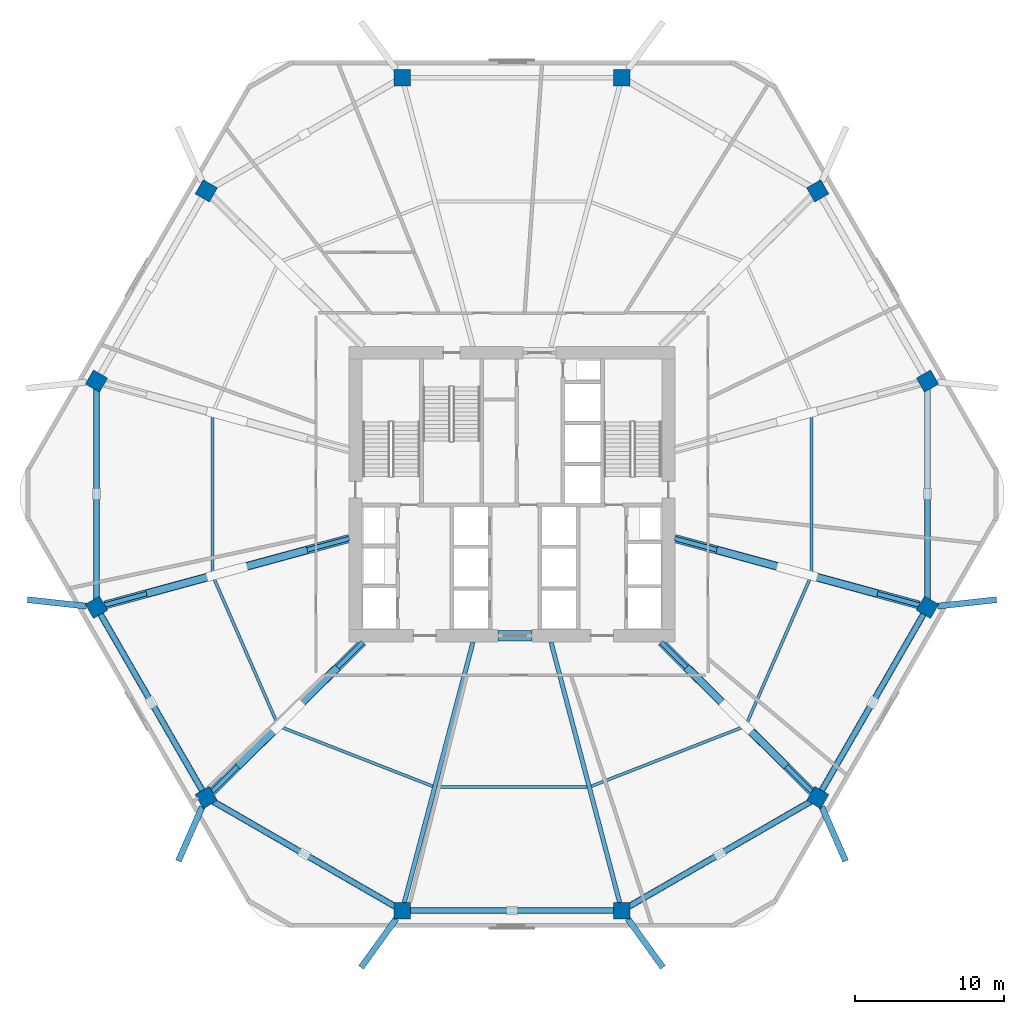
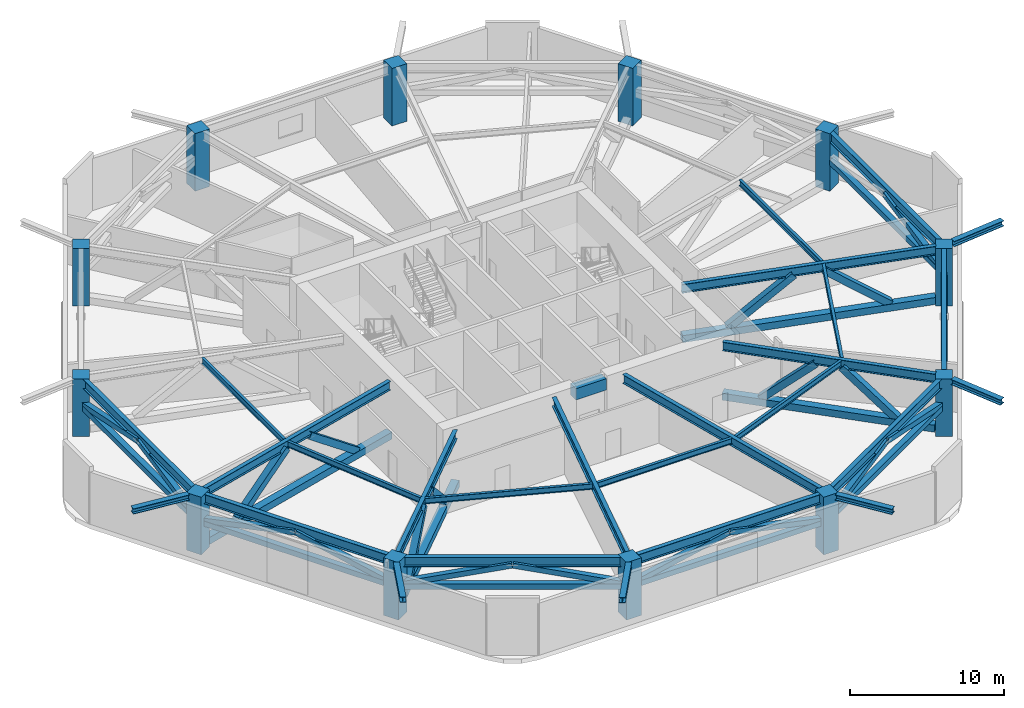
# One storey, part 1 of 10: 32 members, 27 beams, 12 columns.
"""IFC4 building model written with IfcOpenShell, lengths in metres."""

import ifcopenshell
import ifcopenshell.guid

model = None  # the IFC model being written
_history = None  # IfcOwnerHistory: only IFC2X3 demands one
_inside = {}  # id of a spatial element -> (the spatial element, [elements in it])
_under = {}  # id of a project, library or spatial element -> (it, [spatial elements below it])
_declared = {}  # id of a project -> (the project, [libraries it declares])
_typed = {}  # id of a type object -> (the type object, [elements of that type])
_made_of = {}  # id of a material, layer set ... -> (it, [elements and type objects made of it])


def new_model(schema):
    """Start an empty IFC model of exactly this schema.

    Asked for "IFC4X3", IfcOpenShell would pick the latest addendum, in which some entities
    have other attributes; the version numbers below select the first issue.
    IFC2X3 requires an IfcOwnerHistory on every rooted entity: one is made here for all.
    """
    global model, _history
    if schema == "IFC4X3":
        model = ifcopenshell.file(schema_version=(4, 3, 0, 0))
    else:
        model = ifcopenshell.file(schema=schema)
    _inside.clear()
    _under.clear()
    _declared.clear()
    _typed.clear()
    _made_of.clear()
    _history = None
    if model.schema == "IFC2X3":
        org = make("IfcOrganization", Name="unknown")
        user = make(
            "IfcPersonAndOrganization",
            ThePerson=make("IfcPerson", FamilyName="unknown"),
            TheOrganization=org,
        )
        app = make(
            "IfcApplication",
            ApplicationDeveloper=org,
            Version="unknown",
            ApplicationFullName="unknown",
            ApplicationIdentifier="unknown",
        )
        _history = make(
            "IfcOwnerHistory",
            OwningUser=user,
            OwningApplication=app,
            ChangeAction="ADDED",
            CreationDate=0,
        )
    return model


def make(cls, **values):
    """One entity of the class cls with the attributes given. An attribute that is None is left unset."""
    return model.create_entity(
        cls, **{name: value for name, value in values.items() if value is not None}
    )


def rooted(cls, **values):
    """An entity with a GlobalId (a new one), such as an element, a storey or a relation."""
    return make(cls, GlobalId=ifcopenshell.guid.new(), OwnerHistory=_history, **values)


def si_unit(unit_type, name, prefix=None):
    """IfcSIUnit, for example si_unit("LENGTHUNIT", "METRE", prefix="MILLI")."""
    return make("IfcSIUnit", UnitType=unit_type, Prefix=prefix, Name=name)


def assignment(units):
    """IfcUnitAssignment: the units of a project."""
    return None if units is None else make("IfcUnitAssignment", Units=units)


def point(xyz):
    """IfcCartesianPoint."""
    return None if xyz is None else make("IfcCartesianPoint", Coordinates=xyz)


def direction(xyz):
    """IfcDirection."""
    return None if xyz is None else make("IfcDirection", DirectionRatios=xyz)


def frame(location, z_axis=None, x_axis=None):
    """IfcAxis2Placement3D, a coordinate frame: its origin and axes. An axis left out is left unset."""
    return make(
        "IfcAxis2Placement3D",
        Location=point(location),
        Axis=direction(z_axis),
        RefDirection=direction(x_axis),
    )


def frame_2d(location, x_axis=None):
    """IfcAxis2Placement2D, a coordinate frame in the plane: its origin and x axis."""
    return make(
        "IfcAxis2Placement2D", Location=point(location), RefDirection=direction(x_axis)
    )


def origin():
    """The frame at (0, 0, 0) with its axes left unset."""
    return frame((0.0, 0.0, 0.0))


def origin_2d():
    """The frame at (0, 0) in the plane with its x axis left unset."""
    return frame_2d((0.0, 0.0))


def place(relative_to, where):
    """IfcLocalPlacement: puts the frame where relative to a parent placement (None: the world)."""
    return make(
        "IfcLocalPlacement", PlacementRelTo=relative_to, RelativePlacement=where
    )


def context(
    kind, dimensions, precision=None, world=None, true_north=None, identifier=None
):
    """IfcGeometricRepresentationContext, for example the 3D "Model" context."""
    return make(
        "IfcGeometricRepresentationContext",
        ContextIdentifier=identifier,
        ContextType=kind,
        CoordinateSpaceDimension=dimensions,
        Precision=precision,
        WorldCoordinateSystem=world,
        TrueNorth=true_north,
    )


def subcontext(parent, identifier, kind, view, scale=None):
    """IfcGeometricRepresentationSubContext, for example "Body" below "Model"."""
    return make(
        "IfcGeometricRepresentationSubContext",
        ContextIdentifier=identifier,
        ContextType=kind,
        ParentContext=parent,
        TargetScale=scale,
        TargetView=view,
    )


def project(units=None, contexts=None):
    """IfcProject with its units and contexts."""
    return rooted(
        "IfcProject",
        Name="project",
        RepresentationContexts=contexts,
        UnitsInContext=assignment(units),
    )


def spatial(cls, under=None, at=None, **own):
    """A site, building, storey or space (cls), placed at a placement, below another one or the project."""
    s = rooted(cls, ObjectPlacement=at, **own)
    if under is not None:
        _under.setdefault(under.id(), (under, []))[1].append(s)
    return s


def profile(cls, at=None, kind="AREA", **sizes):
    """A parametric profile (cls). Its sizes go by their IFC names, for example OverallWidth=200.0."""
    return make(cls, ProfileType=kind, Position=at, **sizes)


def rectangle(**sizes):
    """IfcRectangleProfileDef."""
    return profile("IfcRectangleProfileDef", **sizes)


def hollow_rectangle(**sizes):
    """IfcRectangleHollowProfileDef."""
    return profile("IfcRectangleHollowProfileDef", **sizes)


def i_section(**sizes):
    """IfcIShapeProfileDef."""
    return profile("IfcIShapeProfileDef", **sizes)


def extrude(swept, where, along, depth):
    """IfcExtrudedAreaSolid: the profile swept, set in the frame where, extruded along a direction by depth."""
    return make(
        "IfcExtrudedAreaSolid",
        SweptArea=swept,
        Position=where,
        ExtrudedDirection=direction(along),
        Depth=depth,
    )


def shape(context_of_items, identifier, shape_type, items):
    """IfcShapeRepresentation: the items that make up one representation, for example the "Body"."""
    return make(
        "IfcShapeRepresentation",
        ContextOfItems=context_of_items,
        RepresentationIdentifier=identifier,
        RepresentationType=shape_type,
        Items=items,
    )


def material(Name=None, Category=None):
    """IfcMaterial."""
    return make("IfcMaterial", Name=Name, Category=Category)


def material_profile(
    of_material, cross_section, Name=None, Category=None, Priority=None
):
    """IfcMaterialProfile: a cross section and its material."""
    return make(
        "IfcMaterialProfile",
        Name=Name,
        Material=of_material,
        Profile=cross_section,
        Priority=Priority,
        Category=Category,
    )


def profile_set(profiles, Name=None, composite=None):
    """IfcMaterialProfileSet."""
    return make(
        "IfcMaterialProfileSet",
        Name=Name,
        MaterialProfiles=profiles,
        CompositeProfile=composite,
    )


def made_of(thing, what):
    """Note that an element or type object is made of a material, layer set ...; save() writes the relation."""
    if what is not None:
        _made_of.setdefault(what.id(), (what, []))[1].append(thing)
    return thing


def type_object(cls, material=None, **own):
    """A type object (cls), such as IfcWallType, which elements share."""
    return made_of(rooted(cls, **own), material)


def element(
    cls,
    number,
    at=None,
    inside=None,
    cuts=None,
    type_object=None,
    material=None,
    context=None,
    identifier="Body",
    shape_type=None,
    held_by="IfcProductDefinitionShape",
    body=None,
    shapes=None,
    **own,
):
    """One element of the class cls, such as IfcWall. Its Tag is "e" and its number.

    at: its placement. inside: the storey or other place that contains it. cuts: it is an
    opening in that element (IfcRelVoidsElement). A single representation is given by context,
    identifier, shape_type and body (its items); several are given by shapes. held_by: the class
    of the entity that holds the representations. save() writes the other relations.
    """
    e = rooted(cls, Tag="e%d" % number, ObjectPlacement=at, **own)
    if body is not None:
        shapes = [shape(context, identifier, shape_type, body)]
    if shapes is not None:
        e.Representation = make(held_by, Representations=shapes)
    if inside is not None:
        _inside.setdefault(inside.id(), (inside, []))[1].append(e)
    if cuts is not None:
        rooted(
            "IfcRelVoidsElement", RelatingBuildingElement=cuts, RelatedOpeningElement=e
        )
    if type_object is not None:
        _typed.setdefault(type_object.id(), (type_object, []))[1].append(e)
    return made_of(e, material)


def aggregate(whole, parts):
    """IfcRelAggregates: a whole, such as a stair, and the parts it consists of."""
    return rooted("IfcRelAggregates", RelatingObject=whole, RelatedObjects=parts)


def save(model, path):
    """Write the relations noted so far, then the file.

    IfcRelAggregates (storeys below a building ...), IfcRelContainedInSpatialStructure (elements
    in a storey), IfcRelDefinesByType, IfcRelAssociatesMaterial and IfcRelDeclares: one each for
    every whole, place, type object, material and project.
    """
    for whole, parts in _under.values():
        aggregate(whole, parts)
    for where, things in _inside.values():
        rooted(
            "IfcRelContainedInSpatialStructure",
            RelatedElements=things,
            RelatingStructure=where,
        )
    for kind, things in _typed.values():
        rooted("IfcRelDefinesByType", RelatedObjects=things, RelatingType=kind)
    for what, things in _made_of.values():
        rooted("IfcRelAssociatesMaterial", RelatedObjects=things, RelatingMaterial=what)
    for by, libraries in _declared.values():
        rooted("IfcRelDeclares", RelatingContext=by, RelatedDefinitions=libraries)
    model.write(path)


model = new_model("IFC4")

# Units and contexts
model_context = context("Model", 3, precision=1e-05, world=origin(), true_north=direction((0.0, 1.0)))
body_context = subcontext(model_context, "Body", "Model", "MODEL_VIEW")
ifc_project = project(units=[si_unit("LENGTHUNIT", "METRE"), si_unit("AREAUNIT", "SQUARE_METRE"), si_unit("VOLUMEUNIT", "CUBIC_METRE"), si_unit("PLANEANGLEUNIT", "RADIAN"), si_unit("MASSUNIT", "GRAM", prefix="KILO")], contexts=[model_context])

# Site, building, storey
site_placement = place(None, origin())
site = spatial("IfcSite", under=ifc_project, at=site_placement, CompositionType="ELEMENT")
building_placement = place(site_placement, origin())
building = spatial("IfcBuilding", under=site, at=building_placement, Name="Zuhravey Tower", CompositionType="ELEMENT")
storey_placement = place(building_placement, frame((0.0, 0.0, 87.60009765625)))
storey = spatial("IfcBuildingStorey", under=building, at=storey_placement, Name="L21", CompositionType="ELEMENT", Elevation=87.60009765625)

# Columns
ifc_material_1 = material(Name="Concrete C60/75", Category="concrete")
ifc_material_profile_1 = material_profile(ifc_material_1, rectangle(XDim=1.10009765625, YDim=1.10009765625, at=origin_2d()), Name="RC-1100x1100")
ifc_profile_set_1 = profile_set([ifc_material_profile_1], Name="Concrete C60/75")
column_type = type_object("IfcColumnType", Name="Zone 1 Upper Column 1100x1100", PredefinedType="COLUMN", material=ifc_profile_set_1)
for number, where, z_axis, x_axis, name in (
    (1, (63.88916015625, 39.591552734375, 0.0), (0.0, 0.0, 1.0), (-0.5, 0.866025403784, 0.0), "L21 Perimeter Column PC01"),
    (2, (56.51904296875, 52.35693359375, 0.0), (0.0, 0.0, 1.0), (-0.5, 0.866025403784, 0.0), "L21 Perimeter Column PC02"),
    (3, (43.3701171875, 59.948486328125, 0.0), (0.0, 0.0, 1.0), (-1.0, 0.0, 0.0), "L21 Perimeter Column PC03"),
    (4, (28.6298828125, 59.948486328125, 0.0), (0.0, 0.0, 1.0), (-1.0, 0.0, 0.0), "L21 Perimeter Column PC04"),
    (5, (15.48095703125, 52.35693359375, 0.0), (0.0, 0.0, 1.0), (-0.5, -0.866025403784, 0.0), "L21 Perimeter Column PC05"),
    (6, (8.11083984375, 39.591552734375, 0.0), (0.0, 0.0, 1.0), (-0.5, -0.866025403784, 0.0), "L21 Perimeter Column PC06"),
    (7, (8.11083984375, 24.408447265625, 0.0), (0.0, 0.0, 1.0), (0.5, -0.866025403784, 0.0), "L21 Perimeter Column PC07"),
    (8, (15.48095703125, 11.64306640625, 0.0), (0.0, 0.0, 1.0), (0.5, -0.866025403784, 0.0), "L21 Perimeter Column PC08"),
    (9, (28.6298828125, 4.051513671875, 0.0), (0.0, 0.0, 1.0), (1.0, 0.0, 0.0), "L21 Perimeter Column PC09"),
    (10, (43.3701171875, 4.051513671875, 0.0), (0.0, 0.0, 1.0), (1.0, 0.0, 0.0), "L21 Perimeter Column PC10"),
    (11, (56.51904296875, 11.64306640625, 0.0), (0.0, 0.0, 1.0), (0.5, 0.866025403784, 0.0), "L21 Perimeter Column PC11"),
    (12, (63.88916015625, 24.408447265625, 0.0), (0.0, 0.0, 1.0), (0.5, 0.866025403784, 0.0), "L21 Perimeter Column PC12"),
):
    element("IfcColumn", number, at=place(storey_placement, frame(where, z_axis=z_axis, x_axis=x_axis)), inside=storey, type_object=column_type, Name=name, PredefinedType="COLUMN", context=body_context, shape_type="SweptSolid", body=[
        extrude(rectangle(XDim=1.10009765625, YDim=1.10009765625, at=origin_2d()), origin(), (0.0, 0.0, 1.0), 4.5498046875),
    ])

# Members
ifc_material_2 = material(Name="Steel SM355", Category="steel")
ifc_material_profile_2 = material_profile(ifc_material_2, hollow_rectangle(XDim=0.419921875, YDim=0.419921875, WallThickness=0.028076171875, at=origin_2d()), Name="RHS-420x420x28")
ifc_profile_set_2 = profile_set([ifc_material_profile_2], Name="Steel SM355")
member_type_1 = type_object("IfcMemberType", Name="Belt Truss Chord RHS420x420", PredefinedType="CHORD", material=ifc_profile_set_2)
member_1_placement = place(storey_placement, frame((8.11083984375, 39.03662109375, 2.27001953125), z_axis=(0.0, -1.0, 0.0), x_axis=(1.0, 0.0, 0.0)))
element("IfcMember", 13, at=member_1_placement, inside=storey, type_object=member_type_1, Name="L21 Belt Truss Bottom Chord BTC1-05", PredefinedType="CHORD", context=body_context, shape_type="SweptSolid", body=[
    extrude(hollow_rectangle(XDim=0.419921875, YDim=0.419921875, WallThickness=0.028076171875, at=origin_2d()), origin(), (0.0, 0.0, 1.0), 14.0732421875),
])
member_2_placement = place(storey_placement, frame((8.388427734375, 23.927734375, 2.27001953125), z_axis=(0.500009294004, -0.866020037822, 0.0), x_axis=(0.866020037822, 0.500009294004, 0.0)))
element("IfcMember", 14, at=member_2_placement, inside=storey, type_object=member_type_1, Name="L21 Belt Truss Bottom Chord BTC1-06", PredefinedType="CHORD", context=body_context, shape_type="SweptSolid", body=[
    extrude(hollow_rectangle(XDim=0.419921875, YDim=0.419921875, WallThickness=0.028076171875, at=origin_2d()), origin(), (0.0, 0.0, 1.0), 13.630126953125),
])
member_3_placement = place(storey_placement, frame((15.961669921875, 11.365478515625, 2.27001953125), z_axis=(0.866032185384, -0.49998825374, 0.0), x_axis=(0.49998825374, 0.866032185384, 0.0)))
element("IfcMember", 15, at=member_3_placement, inside=storey, type_object=member_type_1, Name="L21 Belt Truss Bottom Chord BTC1-07", PredefinedType="CHORD", context=body_context, shape_type="SweptSolid", body=[
    extrude(hollow_rectangle(XDim=0.419921875, YDim=0.419921875, WallThickness=0.028076171875, at=origin_2d()), origin(), (0.0, 0.0, 1.0), 14.072998046875),
])
member_4_placement = place(storey_placement, frame((29.18505859375, 4.051513671875, 2.27001953125), z_axis=(1.0, 0.0, 0.0), x_axis=(0.0, 1.0, 0.0)))
element("IfcMember", 16, at=member_4_placement, inside=storey, type_object=member_type_1, Name="L21 Belt Truss Bottom Chord BTC1-08", PredefinedType="CHORD", context=body_context, shape_type="SweptSolid", body=[
    extrude(hollow_rectangle(XDim=0.419921875, YDim=0.419921875, WallThickness=0.028076171875, at=origin_2d()), origin(), (0.0, 0.0, 1.0), 13.6298828125),
])
member_5_placement = place(storey_placement, frame((43.8505859375, 4.3291015625, 2.27001953125), z_axis=(0.866032185384, 0.49998825374, 0.0), x_axis=(-0.49998825374, 0.866032185384, 0.0)))
element("IfcMember", 17, at=member_5_placement, inside=storey, type_object=member_type_1, Name="L21 Belt Truss Bottom Chord BTC1-09", PredefinedType="CHORD", context=body_context, shape_type="SweptSolid", body=[
    extrude(hollow_rectangle(XDim=0.419921875, YDim=0.419921875, WallThickness=0.028076171875, at=origin_2d()), origin(), (0.0, 0.0, 1.0), 14.072998046875),
])
member_6_placement = place(storey_placement, frame((56.79638671875, 12.123779296875, 2.27001953125), z_axis=(0.500009294004, 0.866020037822, 0.0), x_axis=(-0.866020037822, 0.500009294004, 0.0)))
element("IfcMember", 18, at=member_6_placement, inside=storey, type_object=member_type_1, Name="L21 Belt Truss Bottom Chord BTC1-10", PredefinedType="CHORD", context=body_context, shape_type="SweptSolid", body=[
    extrude(hollow_rectangle(XDim=0.419921875, YDim=0.419921875, WallThickness=0.028076171875, at=origin_2d()), origin(), (0.0, 0.0, 1.0), 13.630126953125),
])
member_7_placement = place(storey_placement, frame((63.88916015625, 24.96337890625, 2.27001953125), z_axis=(0.0, 1.0, 0.0), x_axis=(-1.0, 0.0, 0.0)))
element("IfcMember", 19, at=member_7_placement, inside=storey, type_object=member_type_1, Name="L21 Belt Truss Bottom Chord BTC1-11", PredefinedType="CHORD", context=body_context, shape_type="SweptSolid", body=[
    extrude(hollow_rectangle(XDim=0.419921875, YDim=0.419921875, WallThickness=0.028076171875, at=origin_2d()), origin(), (0.0, 0.0, 1.0), 14.0732421875),
])
ifc_material_profile_3 = material_profile(ifc_material_2, hollow_rectangle(XDim=0.39990234375, YDim=0.39990234375, WallThickness=0.02490234375, at=origin_2d()), Name="RHS-400x400x25")
ifc_profile_set_3 = profile_set([ifc_material_profile_3], Name="Steel SM355")
member_type_2 = type_object("IfcMemberType", Name="Belt Truss Diagonal RHS400x400", PredefinedType="BRACE", material=ifc_profile_set_3)
for number, where, z_axis, x_axis, name in (
    (20, (8.11083984375, 39.02197265625, 2.492919921875), (0.0, -0.979699372428, 0.200472291511), (1.0, 0.0, 0.0), "L21 Belt Truss Diagonal BTD1-05.1"),
    (21, (8.11083984375, 24.97802734375, 2.492919921875), (0.0, 0.979699372428, 0.200472291511), (-1.0, 0.0, 0.0), "L21 Belt Truss Diagonal BTD1-05.2"),
):
    element("IfcMember", number, at=place(storey_placement, frame(where, z_axis=z_axis, x_axis=x_axis)), inside=storey, type_object=member_type_2, Name=name, PredefinedType="BRACE", context=body_context, shape_type="SweptSolid", body=[
        extrude(hollow_rectangle(XDim=0.39990234375, YDim=0.39990234375, WallThickness=0.02490234375, at=origin_2d()), origin(), (0.0, 0.0, 1.0), 7.142578125),
    ])
for number, where, z_axis, x_axis, name in (
    (22, (8.395751953125, 23.9150390625, 2.492919921875), (0.489191555896, -0.847316295851, 0.206752790613), (0.86602838478, 0.499994836728, 0.0), "L21 Belt Truss Diagonal BTD1-06.1"),
    (23, (15.196044921875, 12.136474609375, 2.492919921875), (-0.489164739326, 0.847330907642, 0.206756356021), (-0.866043986184, -0.499967812959, 0.0), "L21 Belt Truss Diagonal BTD1-06.2"),
):
    element("IfcMember", number, at=place(storey_placement, frame(where, z_axis=z_axis, x_axis=x_axis)), inside=storey, type_object=member_type_2, Name=name, PredefinedType="BRACE", context=body_context, shape_type="SweptSolid", body=[
        extrude(hollow_rectangle(XDim=0.39990234375, YDim=0.39990234375, WallThickness=0.02490234375, at=origin_2d()), origin(), (0.0, 0.0, 1.0), 6.925537109375),
    ])
for number, where, z_axis, x_axis, name in (
    (24, (15.974365234375, 11.358154296875, 2.492919921875), (0.848448982471, -0.489838198252, 0.200481579396), (0.499989243959, 0.866031613699, 0.0), "L21 Belt Truss Diagonal BTD1-07.1"),
    (25, (28.13671875, 4.33642578125, 2.492919921875), (-0.848458557804, 0.489823992157, 0.200475765108), (-0.499974136273, -0.866040335699, 0.0), "L21 Belt Truss Diagonal BTD1-07.2"),
):
    element("IfcMember", number, at=place(storey_placement, frame(where, z_axis=z_axis, x_axis=x_axis)), inside=storey, type_object=member_type_2, Name=name, PredefinedType="BRACE", context=body_context, shape_type="SweptSolid", body=[
        extrude(hollow_rectangle(XDim=0.39990234375, YDim=0.39990234375, WallThickness=0.02490234375, at=origin_2d()), origin(), (0.0, 0.0, 1.0), 7.142333984375),
    ])
for number, where, z_axis, x_axis, name in (
    (26, (29.19970703125, 4.051513671875, 2.492919921875), (0.978392783318, 0.0, 0.206754834408), (0.0, 1.0, 0.0), "L21 Belt Truss Diagonal BTD1-08.1"),
    (27, (42.80029296875, 4.051513671875, 2.492919921875), (-0.978392783318, 0.0, 0.206754834408), (0.0, -1.0, 0.0), "L21 Belt Truss Diagonal BTD1-08.2"),
):
    element("IfcMember", number, at=place(storey_placement, frame(where, z_axis=z_axis, x_axis=x_axis)), inside=storey, type_object=member_type_2, Name=name, PredefinedType="BRACE", context=body_context, shape_type="SweptSolid", body=[
        extrude(hollow_rectangle(XDim=0.39990234375, YDim=0.39990234375, WallThickness=0.02490234375, at=origin_2d()), origin(), (0.0, 0.0, 1.0), 6.925537109375),
    ])
for number, where, z_axis, x_axis, name in (
    (28, (43.86328125, 4.33642578125, 2.492919921875), (0.848458557804, 0.489823992157, 0.200475765108), (-0.499974136273, 0.866040335699, 0.0), "L21 Belt Truss Diagonal BTD1-09.1"),
    (29, (56.025634765625, 11.358154296875, 2.492919921875), (-0.848448982471, -0.489838198252, 0.200481579396), (0.499989243959, -0.866031613699, 0.0), "L21 Belt Truss Diagonal BTD1-09.2"),
):
    element("IfcMember", number, at=place(storey_placement, frame(where, z_axis=z_axis, x_axis=x_axis)), inside=storey, type_object=member_type_2, Name=name, PredefinedType="BRACE", context=body_context, shape_type="SweptSolid", body=[
        extrude(hollow_rectangle(XDim=0.39990234375, YDim=0.39990234375, WallThickness=0.02490234375, at=origin_2d()), origin(), (0.0, 0.0, 1.0), 7.142333984375),
    ])
for number, where, z_axis, x_axis, name in (
    (30, (56.803955078125, 12.136474609375, 2.492919921875), (0.489191555896, 0.847316295851, 0.206752790613), (-0.86602838478, 0.499994836728, 0.0), "L21 Belt Truss Diagonal BTD1-10.1"),
    (31, (63.604248046875, 23.9150390625, 2.492919921875), (-0.489191555896, -0.847316295851, 0.206752790613), (0.86602838478, -0.499994836728, 0.0), "L21 Belt Truss Diagonal BTD1-10.2"),
):
    element("IfcMember", number, at=place(storey_placement, frame(where, z_axis=z_axis, x_axis=x_axis)), inside=storey, type_object=member_type_2, Name=name, PredefinedType="BRACE", context=body_context, shape_type="SweptSolid", body=[
        extrude(hollow_rectangle(XDim=0.39990234375, YDim=0.39990234375, WallThickness=0.02490234375, at=origin_2d()), origin(), (0.0, 0.0, 1.0), 6.925537109375),
    ])
member_8_placement = place(storey_placement, frame((63.88916015625, 24.97802734375, 2.492919921875), z_axis=(0.0, 0.979699372428, 0.200472291511), x_axis=(-1.0, 0.0, 0.0)))
element("IfcMember", 32, at=member_8_placement, inside=storey, type_object=member_type_2, Name="L21 Belt Truss Diagonal BTD1-11.1", PredefinedType="BRACE", context=body_context, shape_type="SweptSolid", body=[
    extrude(hollow_rectangle(XDim=0.39990234375, YDim=0.39990234375, WallThickness=0.02490234375, at=origin_2d()), origin(), (0.0, 0.0, 1.0), 7.142578125),
])

# Beams
ifc_material_profile_4 = material_profile(ifc_material_1, rectangle(XDim=0.699951171875, YDim=0.89990234375, at=origin_2d()), Name="RC-700x900")
ifc_profile_set_4 = profile_set([ifc_material_profile_4], Name="Concrete C60/75")
beam_type_1 = type_object("IfcBeamType", Name="Core Coupling Beam RC700x900", PredefinedType="LINTEL", material=ifc_profile_set_4)
beam_1_placement = place(storey_placement, frame((35.052001953125, 22.5, 4.099853515625), z_axis=(1.0, 0.0, 0.0), x_axis=(0.0, 1.0, 0.0)))
element("IfcBeam", 33, at=beam_1_placement, inside=storey, type_object=beam_type_1, Name="L21 CB1 BM-L21-CB-S", PredefinedType="LINTEL", context=body_context, shape_type="SweptSolid", body=[
    extrude(rectangle(XDim=0.699951171875, YDim=0.89990234375, at=origin_2d()), origin(), (0.0, 0.0, 1.0), 2.2958984375),
])
ifc_material_3 = material(Name="Steel SM460", Category="steel")
ifc_material_profile_5 = material_profile(ifc_material_3, i_section(OverallWidth=0.406982421875, OverallDepth=0.427978515625, WebThickness=0.02001953125, FlangeThickness=0.034912109375, at=origin_2d()), Name="H-428x407x20x35")
ifc_profile_set_5 = profile_set([ifc_material_profile_5], Name="Steel SM460")
beam_type_2 = type_object("IfcBeamType", Name="Exoskeleton Node Tie Beam H428x407", PredefinedType="BEAM", material=ifc_profile_set_5)
for number, where, z_axis, x_axis, name in (
    (34, (7.4287109375, 24.4833984375, 4.3359375), (-0.994005957907, 0.109325914797, 0.0), (-0.109325914797, -0.994005957907, 0.0), "L21 Exoskeleton Node Tie NT1-07"),
    (35, (15.204833984375, 11.014892578125, 4.3359375), (-0.402345456296, -0.915487921164, 0.0), (0.915487921164, -0.402345456296, 0.0), "L21 Exoskeleton Node Tie NT1-08"),
):
    element("IfcBeam", number, at=place(storey_placement, frame(where, z_axis=z_axis, x_axis=x_axis)), inside=storey, type_object=beam_type_2, Name=name, PredefinedType="BEAM", context=body_context, shape_type="SweptSolid", body=[
        extrude(i_section(OverallWidth=0.406982421875, OverallDepth=0.427978515625, WebThickness=0.02001953125, FlangeThickness=0.034912109375, at=origin_2d()), origin(), (0.0, 0.0, 1.0), 3.97509765625),
    ])
for number, where, z_axis, x_axis, name in (
    (36, (28.230224609375, 3.498291015625, 4.3359375), (-0.585548100251, -0.810637663998, 0.0), (0.810637663998, -0.585548100251, 0.0), "L21 Exoskeleton Node Tie NT1-09"),
    (37, (43.769775390625, 3.498291015625, 4.3359375), (0.585548100251, -0.810637663998, 0.0), (0.810637663998, 0.585548100251, 0.0), "L21 Exoskeleton Node Tie NT1-10"),
):
    element("IfcBeam", number, at=place(storey_placement, frame(where, z_axis=z_axis, x_axis=x_axis)), inside=storey, type_object=beam_type_2, Name=name, PredefinedType="BEAM", context=body_context, shape_type="SweptSolid", body=[
        extrude(i_section(OverallWidth=0.406982421875, OverallDepth=0.427978515625, WebThickness=0.02001953125, FlangeThickness=0.034912109375, at=origin_2d()), origin(), (0.0, 0.0, 1.0), 4.02734375),
    ])
for number, where, z_axis, x_axis, name in (
    (38, (56.795166015625, 11.014892578125, 4.3359375), (0.402345456296, -0.915487921164, 0.0), (0.915487921164, 0.402345456296, 0.0), "L21 Exoskeleton Node Tie NT1-11"),
    (39, (64.5712890625, 24.4833984375, 4.3359375), (0.994005957907, 0.109325914797, 0.0), (-0.109325914797, 0.994005957907, 0.0), "L21 Exoskeleton Node Tie NT1-12"),
):
    element("IfcBeam", number, at=place(storey_placement, frame(where, z_axis=z_axis, x_axis=x_axis)), inside=storey, type_object=beam_type_2, Name=name, PredefinedType="BEAM", context=body_context, shape_type="SweptSolid", body=[
        extrude(i_section(OverallWidth=0.406982421875, OverallDepth=0.427978515625, WebThickness=0.02001953125, FlangeThickness=0.034912109375, at=origin_2d()), origin(), (0.0, 0.0, 1.0), 3.97509765625),
    ])

# Members
ifc_material_profile_6 = material_profile(ifc_material_3, hollow_rectangle(XDim=0.550048828125, YDim=0.550048828125, WallThickness=0.034912109375, at=origin_2d()), Name="RHS-550x550x35")
ifc_profile_set_6 = profile_set([ifc_material_profile_6], Name="Steel SM460")
member_type_3 = type_object("IfcMemberType", Name="Outrigger Truss Chord RHS550x550", PredefinedType="CHORD", material=ifc_profile_set_6)
member_9_placement = place(storey_placement, frame((25.067138671875, 29.02392578125, 0.31982421875), z_axis=(-0.964891967794, -0.262647083531, 0.0), x_axis=(0.262647083531, -0.964891967794, 0.0)))
element("IfcMember", 40, at=member_9_placement, inside=storey, type_object=member_type_3, Name="L21 Outrigger Bottom Chord OTC1-05", PredefinedType="CHORD", context=body_context, shape_type="SweptSolid", body=[
    extrude(hollow_rectangle(XDim=0.550048828125, YDim=0.550048828125, WallThickness=0.034912109375, at=origin_2d()), origin(), (0.0, 0.0, 1.0), 16.99951171875),
])
for number, where, z_axis, x_axis, name in (
    (41, (25.989501953125, 22.068359375, 0.31982421875), (-0.709906594585, -0.704295837674, 0.0), (0.704295837674, -0.709906594585, 0.0), "L21 Outrigger Bottom Chord OTC1-06"),
    (42, (46.010498046875, 22.068359375, 0.31982421875), (0.709906594585, -0.704295837674, 0.0), (0.704295837674, 0.709906594585, 0.0), "L21 Outrigger Bottom Chord OTC1-07"),
):
    element("IfcMember", number, at=place(storey_placement, frame(where, z_axis=z_axis, x_axis=x_axis)), inside=storey, type_object=member_type_3, Name=name, PredefinedType="CHORD", context=body_context, shape_type="SweptSolid", body=[
        extrude(hollow_rectangle(XDim=0.550048828125, YDim=0.550048828125, WallThickness=0.034912109375, at=origin_2d()), origin(), (0.0, 0.0, 1.0), 14.228759765625),
    ])
member_10_placement = place(storey_placement, frame((46.932861328125, 29.02392578125, 0.31982421875), z_axis=(0.964891967794, -0.262647083531, 0.0), x_axis=(0.262647083531, 0.964891967794, 0.0)))
element("IfcMember", 43, at=member_10_placement, inside=storey, type_object=member_type_3, Name="L21 Outrigger Bottom Chord OTC1-08", PredefinedType="CHORD", context=body_context, shape_type="SweptSolid", body=[
    extrude(hollow_rectangle(XDim=0.550048828125, YDim=0.550048828125, WallThickness=0.034912109375, at=origin_2d()), origin(), (0.0, 0.0, 1.0), 16.99951171875),
])
ifc_material_profile_7 = material_profile(ifc_material_3, hollow_rectangle(XDim=0.5, YDim=0.5, WallThickness=0.031982421875, at=origin_2d()), Name="RHS-500x500x32")
ifc_profile_set_7 = profile_set([ifc_material_profile_7], Name="Steel SM460")
member_type_4 = type_object("IfcMemberType", Name="Outrigger Truss Diagonal RHS500x500", PredefinedType="BRACE", material=ifc_profile_set_7)
for number, where, z_axis, x_axis, name in (
    (44, (22.11474609375, 28.220458984375, 0.559814453125), (-0.763098125474, -0.207724501181, 0.611990018306), (0.262654654638, -0.964889906879, 0.0), "L21 Outrigger Diagonal OTD1-05.1"),
    (45, (11.616943359375, 25.36279296875, 0.559814453125), (0.763098125474, 0.207724501181, 0.611990018306), (-0.262654654638, 0.964889906879, 0.0), "L21 Outrigger Diagonal OTD1-05.2"),
):
    element("IfcMember", number, at=place(storey_placement, frame(where, z_axis=z_axis, x_axis=x_axis)), inside=storey, type_object=member_type_4, Name=name, PredefinedType="BRACE", context=body_context, shape_type="SweptSolid", body=[
        extrude(hollow_rectangle(XDim=0.5, YDim=0.5, WallThickness=0.031982421875, at=origin_2d()), origin(), (0.0, 0.0, 1.0), 5.588623046875),
    ])
for number, where, z_axis, x_axis, name in (
    (46, (24.171142578125, 20.2646484375, 0.559814453125), (-0.52126602479, -0.517147068566, 0.678852444109), (0.704296439771, -0.709905997246, 0.0), "L21 Outrigger Diagonal OTD1-06.1"),
    (47, (17.70654296875, 13.85107421875, 0.559814453125), (0.52126602479, 0.517147068566, 0.678852444109), (-0.704296439771, 0.709905997246, 0.0), "L21 Outrigger Diagonal OTD1-06.2"),
    (48, (47.828857421875, 20.2646484375, 0.559814453125), (0.52126602479, -0.517147068566, 0.678852444109), (0.704296439771, 0.709905997246, 0.0), "L21 Outrigger Diagonal OTD1-07.1"),
    (49, (54.29345703125, 13.85107421875, 0.559814453125), (-0.52126602479, 0.517147068566, 0.678852444109), (-0.704296439771, -0.709905997246, 0.0), "L21 Outrigger Diagonal OTD1-07.2"),
):
    element("IfcMember", number, at=place(storey_placement, frame(where, z_axis=z_axis, x_axis=x_axis)), inside=storey, type_object=member_type_4, Name=name, PredefinedType="BRACE", context=body_context, shape_type="SweptSolid", body=[
        extrude(hollow_rectangle(XDim=0.5, YDim=0.5, WallThickness=0.031982421875, at=origin_2d()), origin(), (0.0, 0.0, 1.0), 5.0380859375),
    ])
for number, where, z_axis, x_axis, name in (
    (50, (49.88525390625, 28.220458984375, 0.559814453125), (0.763098125474, -0.207724501181, 0.611990018306), (0.262654654638, 0.964889906879, 0.0), "L21 Outrigger Diagonal OTD1-08.1"),
    (51, (60.383056640625, 25.36279296875, 0.559814453125), (-0.763098125474, 0.207724501181, 0.611990018306), (-0.262654654638, -0.964889906879, 0.0), "L21 Outrigger Diagonal OTD1-08.2"),
):
    element("IfcMember", number, at=place(storey_placement, frame(where, z_axis=z_axis, x_axis=x_axis)), inside=storey, type_object=member_type_4, Name=name, PredefinedType="BRACE", context=body_context, shape_type="SweptSolid", body=[
        extrude(hollow_rectangle(XDim=0.5, YDim=0.5, WallThickness=0.031982421875, at=origin_2d()), origin(), (0.0, 0.0, 1.0), 5.588623046875),
    ])

# Beams
ifc_material_profile_8 = material_profile(ifc_material_2, i_section(OverallWidth=0.320068359375, OverallDepth=0.75, WebThickness=0.013916015625, FlangeThickness=0.02490234375, at=origin_2d()), Name="H-750x320x14x25")
ifc_profile_set_8 = profile_set([ifc_material_profile_8], Name="Steel SM355")
beam_type_3 = type_object("IfcBeamType", Name="Perimeter Ring Beam H750x320", PredefinedType="BEAM", material=ifc_profile_set_8)
beam_2_placement = place(storey_placement, frame((8.11083984375, 39.03857421875, 4.1748046875), z_axis=(0.0, -1.0, 0.0), x_axis=(1.0, 0.0, 0.0)))
element("IfcBeam", 52, at=beam_2_placement, inside=storey, type_object=beam_type_3, Name="L21 PB1 BM-L21-PB-06", PredefinedType="BEAM", context=body_context, shape_type="SweptSolid", body=[
    extrude(i_section(OverallWidth=0.320068359375, OverallDepth=0.75, WebThickness=0.013916015625, FlangeThickness=0.02490234375, at=origin_2d()), origin(), (0.0, 0.0, 1.0), 14.0771484375),
])
beam_3_placement = place(storey_placement, frame((8.387451171875, 23.929443359375, 4.1748046875), z_axis=(0.500008177929, -0.866020682204, 0.0), x_axis=(0.866020682204, 0.500008177929, 0.0)))
element("IfcBeam", 53, at=beam_3_placement, inside=storey, type_object=beam_type_3, Name="L21 PB1 BM-L21-PB-07", PredefinedType="BEAM", context=body_context, shape_type="SweptSolid", body=[
    extrude(i_section(OverallWidth=0.320068359375, OverallDepth=0.75, WebThickness=0.013916015625, FlangeThickness=0.02490234375, at=origin_2d()), origin(), (0.0, 0.0, 1.0), 13.634033203125),
])
beam_4_placement = place(storey_placement, frame((15.9599609375, 11.36669921875, 4.1748046875), z_axis=(0.866017786538, -0.500013193225, 0.0), x_axis=(0.500013193225, 0.866017786538, 0.0)))
element("IfcBeam", 54, at=beam_4_placement, inside=storey, type_object=beam_type_3, Name="L21 PB1 BM-L21-PB-08", PredefinedType="BEAM", context=body_context, shape_type="SweptSolid", body=[
    extrude(i_section(OverallWidth=0.320068359375, OverallDepth=0.75, WebThickness=0.013916015625, FlangeThickness=0.02490234375, at=origin_2d()), origin(), (0.0, 0.0, 1.0), 14.0771484375),
])
beam_5_placement = place(storey_placement, frame((29.18310546875, 4.051513671875, 4.1748046875), z_axis=(1.0, 0.0, 0.0), x_axis=(0.0, 1.0, 0.0)))
element("IfcBeam", 55, at=beam_5_placement, inside=storey, type_object=beam_type_3, Name="L21 PB1 BM-L21-PB-09", PredefinedType="BEAM", context=body_context, shape_type="SweptSolid", body=[
    extrude(i_section(OverallWidth=0.320068359375, OverallDepth=0.75, WebThickness=0.013916015625, FlangeThickness=0.02490234375, at=origin_2d()), origin(), (0.0, 0.0, 1.0), 13.6337890625),
])
beam_6_placement = place(storey_placement, frame((43.848876953125, 4.327880859375, 4.1748046875), z_axis=(0.866017786538, 0.500013193225, 0.0), x_axis=(-0.500013193225, 0.866017786538, 0.0)))
element("IfcBeam", 56, at=beam_6_placement, inside=storey, type_object=beam_type_3, Name="L21 PB1 BM-L21-PB-10", PredefinedType="BEAM", context=body_context, shape_type="SweptSolid", body=[
    extrude(i_section(OverallWidth=0.320068359375, OverallDepth=0.75, WebThickness=0.013916015625, FlangeThickness=0.02490234375, at=origin_2d()), origin(), (0.0, 0.0, 1.0), 14.0771484375),
])
beam_7_placement = place(storey_placement, frame((56.79541015625, 12.1220703125, 4.1748046875), z_axis=(0.500008177929, 0.866020682204, 0.0), x_axis=(-0.866020682204, 0.500008177929, 0.0)))
element("IfcBeam", 57, at=beam_7_placement, inside=storey, type_object=beam_type_3, Name="L21 PB1 BM-L21-PB-11", PredefinedType="BEAM", context=body_context, shape_type="SweptSolid", body=[
    extrude(i_section(OverallWidth=0.320068359375, OverallDepth=0.75, WebThickness=0.013916015625, FlangeThickness=0.02490234375, at=origin_2d()), origin(), (0.0, 0.0, 1.0), 13.634033203125),
])
beam_8_placement = place(storey_placement, frame((63.88916015625, 24.96142578125, 4.1748046875), z_axis=(0.0, 1.0, 0.0), x_axis=(-1.0, 0.0, 0.0)))
element("IfcBeam", 58, at=beam_8_placement, inside=storey, type_object=beam_type_3, Name="L21 PB1 BM-L21-PB-12", PredefinedType="BEAM", context=body_context, shape_type="SweptSolid", body=[
    extrude(i_section(OverallWidth=0.320068359375, OverallDepth=0.75, WebThickness=0.013916015625, FlangeThickness=0.02490234375, at=origin_2d()), origin(), (0.0, 0.0, 1.0), 14.0771484375),
])
ifc_material_profile_9 = material_profile(ifc_material_2, i_section(OverallWidth=0.300048828125, OverallDepth=0.699951171875, WebThickness=0.012939453125, FlangeThickness=0.02392578125, at=origin_2d()), Name="H-700x300x13x24")
ifc_profile_set_9 = profile_set([ifc_material_profile_9], Name="Steel SM355")
beam_type_4 = type_object("IfcBeamType", Name="Radial Primary Girder H700x300", PredefinedType="BEAM", material=ifc_profile_set_9)
beam_9_placement = place(storey_placement, frame((25.072021484375, 29.025390625, 4.199951171875), z_axis=(-0.964891112932, -0.262650224032, 0.0), x_axis=(0.262650224032, -0.964891112932, 0.0)))
element("IfcBeam", 59, at=beam_9_placement, inside=storey, type_object=beam_type_4, Name="L21 RG1 BM-L21-RAD-07", PredefinedType="BEAM", context=body_context, shape_type="SweptSolid", body=[
    extrude(i_section(OverallWidth=0.300048828125, OverallDepth=0.699951171875, WebThickness=0.012939453125, FlangeThickness=0.02392578125, at=origin_2d()), origin(), (0.0, 0.0, 1.0), 17.025146484375),
])
beam_10_placement = place(storey_placement, frame((25.992919921875, 22.072021484375, 4.199951171875), z_axis=(-0.709901518563, -0.704300954097, 0.0), x_axis=(0.704300954097, -0.709901518563, 0.0)))
element("IfcBeam", 60, at=beam_10_placement, inside=storey, type_object=beam_type_4, Name="L21 RG1 BM-L21-RAD-08", PredefinedType="BEAM", context=body_context, shape_type="SweptSolid", body=[
    extrude(i_section(OverallWidth=0.300048828125, OverallDepth=0.699951171875, WebThickness=0.012939453125, FlangeThickness=0.02392578125, at=origin_2d()), origin(), (0.0, 0.0, 1.0), 14.254638671875),
])
for number, where, z_axis, x_axis, name in (
    (61, (33.382080078125, 22.072021484375, 4.199951171875), (-0.254987019627, -0.96694447608, 0.0), (0.96694447608, -0.254987019627, 0.0), "L21 RG1 BM-L21-RAD-09"),
    (62, (38.617919921875, 22.072021484375, 4.199951171875), (0.254987019627, -0.96694447608, 0.0), (0.96694447608, 0.254987019627, 0.0), "L21 RG1 BM-L21-RAD-10"),
):
    element("IfcBeam", number, at=place(storey_placement, frame(where, z_axis=z_axis, x_axis=x_axis)), inside=storey, type_object=beam_type_4, Name=name, PredefinedType="BEAM", context=body_context, shape_type="SweptSolid", body=[
        extrude(i_section(OverallWidth=0.300048828125, OverallDepth=0.699951171875, WebThickness=0.012939453125, FlangeThickness=0.02392578125, at=origin_2d()), origin(), (0.0, 0.0, 1.0), 18.08349609375),
    ])
beam_11_placement = place(storey_placement, frame((46.007080078125, 22.072021484375, 4.199951171875), z_axis=(0.709901518563, -0.704300954097, 0.0), x_axis=(0.704300954097, 0.709901518563, 0.0)))
element("IfcBeam", 63, at=beam_11_placement, inside=storey, type_object=beam_type_4, Name="L21 RG1 BM-L21-RAD-11", PredefinedType="BEAM", context=body_context, shape_type="SweptSolid", body=[
    extrude(i_section(OverallWidth=0.300048828125, OverallDepth=0.699951171875, WebThickness=0.012939453125, FlangeThickness=0.02392578125, at=origin_2d()), origin(), (0.0, 0.0, 1.0), 14.254638671875),
])
beam_12_placement = place(storey_placement, frame((46.927978515625, 29.025390625, 4.199951171875), z_axis=(0.964891112932, -0.262650224032, 0.0), x_axis=(0.262650224032, 0.964891112932, 0.0)))
element("IfcBeam", 64, at=beam_12_placement, inside=storey, type_object=beam_type_4, Name="L21 RG1 BM-L21-RAD-12", PredefinedType="BEAM", context=body_context, shape_type="SweptSolid", body=[
    extrude(i_section(OverallWidth=0.300048828125, OverallDepth=0.699951171875, WebThickness=0.012939453125, FlangeThickness=0.02392578125, at=origin_2d()), origin(), (0.0, 0.0, 1.0), 17.025146484375),
])
ifc_material_profile_10 = material_profile(ifc_material_2, i_section(OverallWidth=0.199951171875, OverallDepth=0.449951171875, WebThickness=0.009033203125, FlangeThickness=0.013916015625, at=origin_2d()), Name="H-450x200x9x14")
ifc_profile_set_10 = profile_set([ifc_material_profile_10], Name="Steel SM355")
beam_type_5 = type_object("IfcBeamType", Name="Secondary Floor Joist H450x200", PredefinedType="JOIST", material=ifc_profile_set_10)
beam_13_placement = place(storey_placement, frame((15.9130859375, 37.313720703125, 4.324951171875), z_axis=(0.0, -1.0, 0.0), x_axis=(1.0, 0.0, 0.0)))
element("IfcBeam", 65, at=beam_13_placement, inside=storey, type_object=beam_type_5, Name="L21 SJ1 BM-L21-SJ-06-1", PredefinedType="JOIST", context=body_context, shape_type="SweptSolid", body=[
    extrude(i_section(OverallWidth=0.199951171875, OverallDepth=0.449951171875, WebThickness=0.009033203125, FlangeThickness=0.013916015625, at=origin_2d()), origin(), (0.0, 0.0, 1.0), 10.62744140625),
])
beam_14_placement = place(storey_placement, frame((15.974609375, 26.39111328125, 4.324951171875), z_axis=(0.399923551578, -0.916548500022, 0.0), x_axis=(0.916548500022, 0.399923551578, 0.0)))
element("IfcBeam", 66, at=beam_14_placement, inside=storey, type_object=beam_type_5, Name="L21 SJ1 BM-L21-SJ-07-1", PredefinedType="JOIST", context=body_context, shape_type="SweptSolid", body=[
    extrude(i_section(OverallWidth=0.199951171875, OverallDepth=0.449951171875, WebThickness=0.009033203125, FlangeThickness=0.013916015625, at=origin_2d()), origin(), (0.0, 0.0, 1.0), 10.70263671875),
])
beam_15_placement = place(storey_placement, frame((20.4599609375, 16.38427734375, 4.324951171875), z_axis=(0.931516535886, -0.363698973562, 0.0), x_axis=(0.363698973562, 0.931516535886, 0.0)))
element("IfcBeam", 67, at=beam_15_placement, inside=storey, type_object=beam_type_5, Name="L21 SJ1 BM-L21-SJ-08-1", PredefinedType="JOIST", context=body_context, shape_type="SweptSolid", body=[
    extrude(i_section(OverallWidth=0.199951171875, OverallDepth=0.449951171875, WebThickness=0.009033203125, FlangeThickness=0.013916015625, at=origin_2d()), origin(), (0.0, 0.0, 1.0), 10.963134765625),
])
beam_16_placement = place(storey_placement, frame((30.969970703125, 12.3408203125, 4.324951171875), z_axis=(1.0, 0.0, 0.0), x_axis=(0.0, 1.0, 0.0)))
element("IfcBeam", 68, at=beam_16_placement, inside=storey, type_object=beam_type_5, Name="L21 SJ1 BM-L21-SJ-09-1", PredefinedType="JOIST", context=body_context, shape_type="SweptSolid", body=[
    extrude(i_section(OverallWidth=0.199951171875, OverallDepth=0.449951171875, WebThickness=0.009033203125, FlangeThickness=0.013916015625, at=origin_2d()), origin(), (0.0, 0.0, 1.0), 10.06005859375),
])
beam_17_placement = place(storey_placement, frame((41.32763671875, 12.39697265625, 4.324951171875), z_axis=(0.931516535886, 0.363698973562, 0.0), x_axis=(-0.363698973562, 0.931516535886, 0.0)))
element("IfcBeam", 69, at=beam_17_placement, inside=storey, type_object=beam_type_5, Name="L21 SJ1 BM-L21-SJ-10-1", PredefinedType="JOIST", context=body_context, shape_type="SweptSolid", body=[
    extrude(i_section(OverallWidth=0.199951171875, OverallDepth=0.449951171875, WebThickness=0.009033203125, FlangeThickness=0.013916015625, at=origin_2d()), origin(), (0.0, 0.0, 1.0), 10.963134765625),
])
beam_18_placement = place(storey_placement, frame((51.7451171875, 16.58154296875, 4.324951171875), z_axis=(0.399923551578, 0.916548500022, 0.0), x_axis=(-0.916548500022, 0.399923551578, 0.0)))
element("IfcBeam", 70, at=beam_18_placement, inside=storey, type_object=beam_type_5, Name="L21 SJ1 BM-L21-SJ-11-1", PredefinedType="JOIST", context=body_context, shape_type="SweptSolid", body=[
    extrude(i_section(OverallWidth=0.199951171875, OverallDepth=0.449951171875, WebThickness=0.009033203125, FlangeThickness=0.013916015625, at=origin_2d()), origin(), (0.0, 0.0, 1.0), 10.70263671875),
])
beam_19_placement = place(storey_placement, frame((56.0869140625, 26.686279296875, 4.324951171875), z_axis=(0.0, 1.0, 0.0), x_axis=(-1.0, 0.0, 0.0)))
element("IfcBeam", 71, at=beam_19_placement, inside=storey, type_object=beam_type_5, Name="L21 SJ1 BM-L21-SJ-12-1", PredefinedType="JOIST", context=body_context, shape_type="SweptSolid", body=[
    extrude(i_section(OverallWidth=0.199951171875, OverallDepth=0.449951171875, WebThickness=0.009033203125, FlangeThickness=0.013916015625, at=origin_2d()), origin(), (0.0, 0.0, 1.0), 10.62744140625),
])

save(model, "model.ifc")
